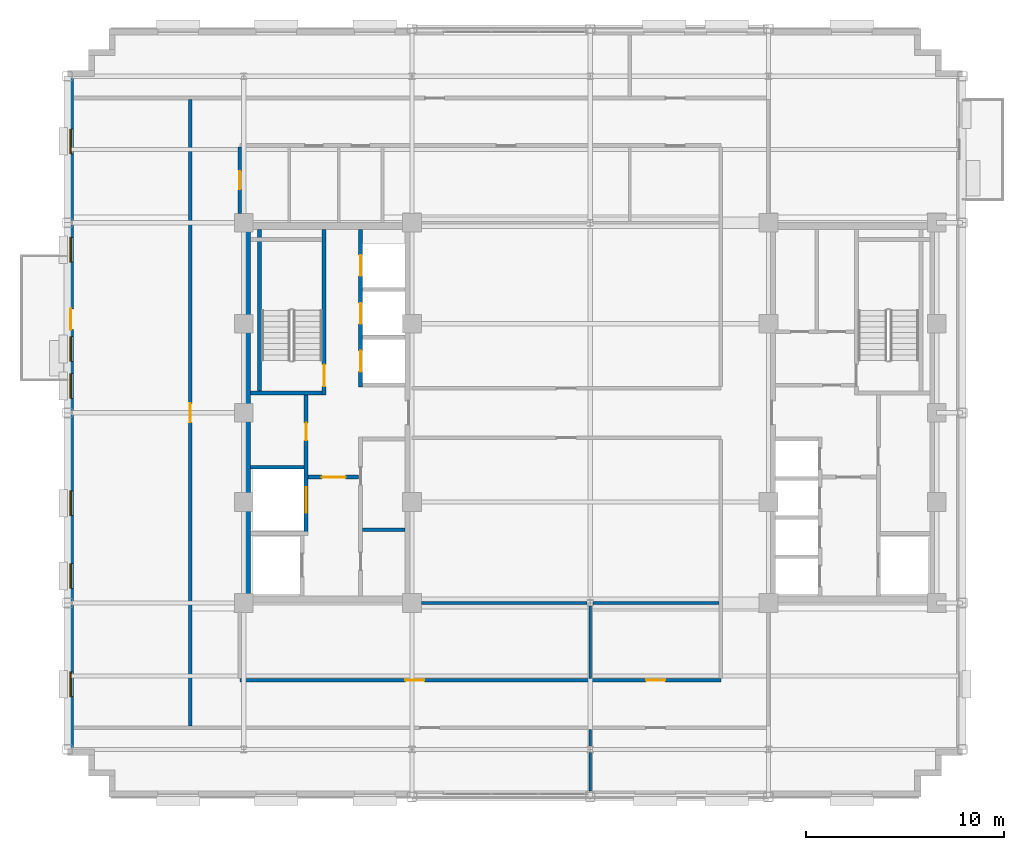
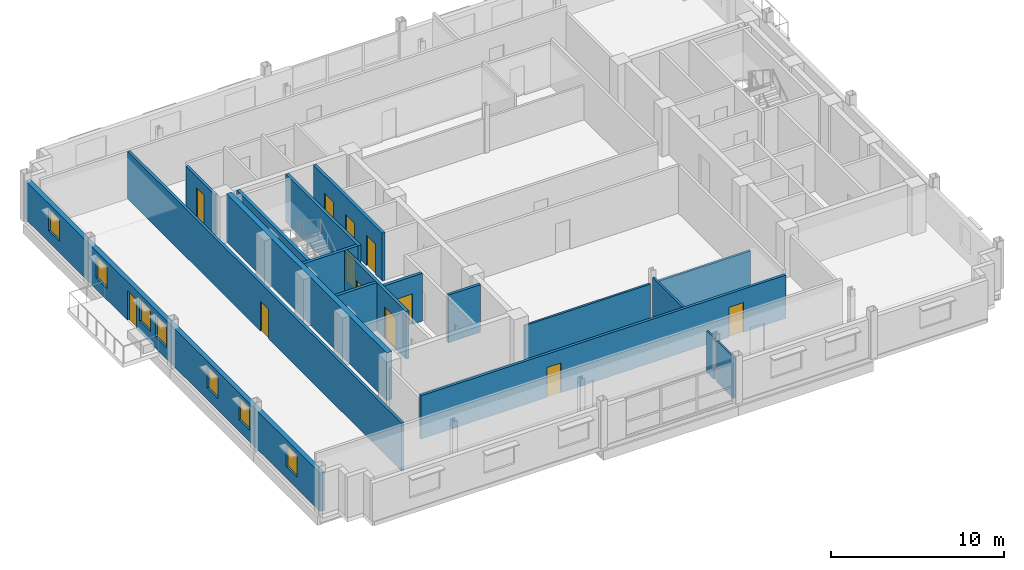
# One storey, part 6 of 15: 18 walls, 12 doors, 7 windows, 19 openings.
"""IFC4 building model written with IfcOpenShell, lengths in metres."""

from ifc_helpers import new_model, si_unit, direction, frame, frame_2d, origin, place, context, subcontext, project, spatial, rectangle, extrude, source, transform, mapped, material, layer, layer_set, type_object, type_shapes, element, fill, save


model = new_model("IFC4")

# Units and contexts
model_context = context("Model", 3, precision=1e-05, world=origin(), true_north=direction((0.0, 1.0)))
body_context = subcontext(model_context, "Body", "Model", "MODEL_VIEW")
ifc_project = project(units=[si_unit("LENGTHUNIT", "METRE"), si_unit("AREAUNIT", "SQUARE_METRE"), si_unit("VOLUMEUNIT", "CUBIC_METRE"), si_unit("PLANEANGLEUNIT", "RADIAN"), si_unit("MASSUNIT", "GRAM", prefix="KILO")], contexts=[model_context])

# Site, building, storey
site_placement = place(None, origin())
site = spatial("IfcSite", under=ifc_project, at=site_placement, CompositionType="ELEMENT")
building_placement = place(site_placement, origin())
building = spatial("IfcBuilding", under=site, at=building_placement, Name="Nuvemarco Arch Tower", CompositionType="ELEMENT")
storey_placement = place(building_placement, frame((0.0, 0.0, 223.75)))
storey = spatial("IfcBuildingStorey", under=building, at=storey_placement, Name="L59", CompositionType="ELEMENT", Elevation=223.75)

# Wall, openings, door, windows
ifc_material_1 = material(Name="Precast concrete C45/55", Category="concrete")
ifc_layer_1 = layer(ifc_material_1, 0.31005859375, Name="EW-UPP-310")
ifc_layer_set_1 = layer_set([ifc_layer_1], Name="Precast concrete C45/55")
wall_type_1 = type_object("IfcWallType", Name="EW-UPP-310", PredefinedType="STANDARD", material=ifc_layer_set_1)
wall_1_placement = place(storey_placement, frame((-26.2451171875, -16.993896484375, 0.0), z_axis=(0.0, 0.0, 1.0), x_axis=(0.0, 1.0, 0.0)))
wall_1 = element("IfcWall", 1, at=wall_1_placement, inside=storey, type_object=wall_type_1, Name="L59 exterior precast facade wall 16", PredefinedType="STANDARD", context=body_context, shape_type="SweptSolid", body=[
    extrude(rectangle(XDim=33.98779296875, YDim=0.31005859375, at=frame_2d((16.993896484375, 0.0))), origin(), (0.0, 0.0, 1.0), 2.705078125),
])
opening_1_placement = place(wall_1_placement, frame((21.194091796875, 0.0, 0.0)))
opening_1 = element("IfcOpeningElement", 2, at=opening_1_placement, cuts=wall_1, Name="Opening ED-5", PredefinedType="OPENING", context=body_context, shape_type="SweptSolid", body=[
    extrude(rectangle(XDim=1.050048828125, YDim=2.10009765625, at=frame_2d((0.52490234375, 1.050048828125))), frame((0.0, 0.1650390625, 0.0), z_axis=(0.0, -1.0, 0.0), x_axis=(1.0, 0.0, 0.0)), (0.0, 0.0, 1.0), 0.330078125),
])
opening_2_placement = place(wall_1_placement, frame((2.659912109375, 0.0, 0.800048828125)))
opening_2 = element("IfcOpeningElement", 3, at=opening_2_placement, cuts=wall_1, Name="Opening WN-13", PredefinedType="OPENING", context=body_context, shape_type="SweptSolid", body=[
    extrude(rectangle(XDim=1.25, YDim=1.52001953125, at=frame_2d((0.625, 0.760009765625))), frame((0.0, 0.1650390625, 0.0), z_axis=(0.0, -1.0, 0.0), x_axis=(1.0, 0.0, 0.0)), (0.0, 0.0, 1.0), 0.330078125),
])
opening_3_placement = place(wall_1_placement, frame((8.129638671875, 0.0, 0.800048828125)))
opening_3 = element("IfcOpeningElement", 4, at=opening_3_placement, cuts=wall_1, Name="Opening WN-13", PredefinedType="OPENING", context=body_context, shape_type="SweptSolid", body=[
    extrude(rectangle(XDim=1.25, YDim=1.52001953125, at=frame_2d((0.625, 0.760009765625))), frame((0.0, 0.1650390625, 0.0), z_axis=(0.0, -1.0, 0.0), x_axis=(1.0, 0.0, 0.0)), (0.0, 0.0, 1.0), 0.330078125),
])
opening_4_placement = place(wall_1_placement, frame((11.79931640625, 0.0, 0.800048828125)))
opening_4 = element("IfcOpeningElement", 5, at=opening_4_placement, cuts=wall_1, Name="Opening WN-13", PredefinedType="OPENING", context=body_context, shape_type="SweptSolid", body=[
    extrude(rectangle(XDim=1.25, YDim=1.52001953125, at=frame_2d((0.625, 0.760009765625))), frame((0.0, 0.1650390625, 0.0), z_axis=(0.0, -1.0, 0.0), x_axis=(1.0, 0.0, 0.0)), (0.0, 0.0, 1.0), 0.330078125),
])
opening_5_placement = place(wall_1_placement, frame((17.718994140625, 0.0, 0.800048828125)))
opening_5 = element("IfcOpeningElement", 6, at=opening_5_placement, cuts=wall_1, Name="Opening WN-13", PredefinedType="OPENING", context=body_context, shape_type="SweptSolid", body=[
    extrude(rectangle(XDim=1.25, YDim=1.52001953125, at=frame_2d((0.625, 0.760009765625))), frame((0.0, 0.1650390625, 0.0), z_axis=(0.0, -1.0, 0.0), x_axis=(1.0, 0.0, 0.0)), (0.0, 0.0, 1.0), 0.330078125),
])
opening_6_placement = place(wall_1_placement, frame((19.588623046875, 0.0, 0.800048828125)))
opening_6 = element("IfcOpeningElement", 7, at=opening_6_placement, cuts=wall_1, Name="Opening WN-13", PredefinedType="OPENING", context=body_context, shape_type="SweptSolid", body=[
    extrude(rectangle(XDim=1.25, YDim=1.52001953125, at=frame_2d((0.625, 0.760009765625))), frame((0.0, 0.1650390625, 0.0), z_axis=(0.0, -1.0, 0.0), x_axis=(1.0, 0.0, 0.0)), (0.0, 0.0, 1.0), 0.330078125),
])
opening_7_placement = place(wall_1_placement, frame((24.6083984375, 0.0, 0.800048828125)))
opening_7 = element("IfcOpeningElement", 8, at=opening_7_placement, cuts=wall_1, Name="Opening WN-13", PredefinedType="OPENING", context=body_context, shape_type="SweptSolid", body=[
    extrude(rectangle(XDim=1.25, YDim=1.52001953125, at=frame_2d((0.625, 0.760009765625))), frame((0.0, 0.1650390625, 0.0), z_axis=(0.0, -1.0, 0.0), x_axis=(1.0, 0.0, 0.0)), (0.0, 0.0, 1.0), 0.330078125),
])
opening_8_placement = place(wall_1_placement, frame((30.078125, 0.0, 0.800048828125)))
opening_8 = element("IfcOpeningElement", 9, at=opening_8_placement, cuts=wall_1, Name="Opening WN-13", PredefinedType="OPENING", context=body_context, shape_type="SweptSolid", body=[
    extrude(rectangle(XDim=1.25, YDim=1.52001953125, at=frame_2d((0.625, 0.760009765625))), frame((0.0, 0.1650390625, 0.0), z_axis=(0.0, -1.0, 0.0), x_axis=(1.0, 0.0, 0.0)), (0.0, 0.0, 1.0), 0.330078125),
])
ifc_material_2 = material(Name="Anodised bronze and laminated glass", Category="glass")
door_type_1 = type_object("IfcDoorType", Name="DR-EXT-TERR", OperationType="NOTDEFINED", PredefinedType="DOOR", material=ifc_material_2)
shared_shape_1 = source(origin(), body_context, "Body", "SweptSolid", [
    extrude(rectangle(XDim=1.050048828125, YDim=2.10009765625, at=frame_2d((0.52490234375, 1.050048828125))), frame((0.0, 0.02490234375, 0.0), z_axis=(0.0, -1.0, 0.0), x_axis=(1.0, 0.0, 0.0)), (0.0, 0.0, 1.0), 0.050048828125),
])
type_shapes(door_type_1, [shared_shape_1])
door_1_placement = place(opening_1_placement, origin())
door_1 = element("IfcDoor", 10, at=door_1_placement, inside=storey, type_object=door_type_1, Name="L59 spiral terrace access door", OperationType="SINGLE_SWING_LEFT", OverallHeight=2.10009765625, OverallWidth=1.050048828125, PredefinedType="DOOR", context=body_context, shape_type="MappedRepresentation", body=[
    mapped(shared_shape_1, transform((0.0, 0.0, 0.0), scale=1.0)),
])
fill(opening_1, door_1)
ifc_material_3 = material(Name="Insulated solar-control glass", Category="glass")
window_type = type_object("IfcWindowType", Name="WN-SET-1250x1520", PartitioningType="SINGLE_PANEL", PredefinedType="WINDOW", material=ifc_material_3)
shared_shape_2 = source(origin(), body_context, "Body", "SweptSolid", [
    extrude(rectangle(XDim=1.25, YDim=1.52001953125, at=frame_2d((0.625, 0.760009765625))), frame((0.0, 0.030029296875, 0.0), z_axis=(0.0, -1.0, 0.0), x_axis=(1.0, 0.0, 0.0)), (0.0, 0.0, 1.0), 0.06005859375),
])
type_shapes(window_type, [shared_shape_2])
window_1_placement = place(opening_2_placement, origin())
window_1 = element("IfcWindow", 11, at=window_1_placement, inside=storey, type_object=window_type, Name="L59 punched facade window 1", OverallHeight=1.52001953125, OverallWidth=1.25, PartitioningType="SINGLE_PANEL", PredefinedType="WINDOW", context=body_context, shape_type="MappedRepresentation", body=[
    mapped(shared_shape_2, transform((0.0, 0.0, 0.0), scale=1.0)),
])
fill(opening_2, window_1)
window_2_placement = place(opening_3_placement, origin())
window_2 = element("IfcWindow", 12, at=window_2_placement, inside=storey, type_object=window_type, Name="L59 punched facade window 2", OverallHeight=1.52001953125, OverallWidth=1.25, PartitioningType="SINGLE_PANEL", PredefinedType="WINDOW", context=body_context, shape_type="MappedRepresentation", body=[
    mapped(shared_shape_2, transform((0.0, 0.0, 0.0), scale=1.0)),
])
fill(opening_3, window_2)
window_3_placement = place(opening_4_placement, origin())
window_3 = element("IfcWindow", 13, at=window_3_placement, inside=storey, type_object=window_type, Name="L59 punched facade window 3", OverallHeight=1.52001953125, OverallWidth=1.25, PartitioningType="SINGLE_PANEL", PredefinedType="WINDOW", context=body_context, shape_type="MappedRepresentation", body=[
    mapped(shared_shape_2, transform((0.0, 0.0, 0.0), scale=1.0)),
])
fill(opening_4, window_3)
window_4_placement = place(opening_5_placement, origin())
window_4 = element("IfcWindow", 14, at=window_4_placement, inside=storey, type_object=window_type, Name="L59 punched facade window 4", OverallHeight=1.52001953125, OverallWidth=1.25, PartitioningType="SINGLE_PANEL", PredefinedType="WINDOW", context=body_context, shape_type="MappedRepresentation", body=[
    mapped(shared_shape_2, transform((0.0, 0.0, 0.0), scale=1.0)),
])
fill(opening_5, window_4)
window_5_placement = place(opening_6_placement, origin())
window_5 = element("IfcWindow", 15, at=window_5_placement, inside=storey, type_object=window_type, Name="L59 punched facade window 5", OverallHeight=1.52001953125, OverallWidth=1.25, PartitioningType="SINGLE_PANEL", PredefinedType="WINDOW", context=body_context, shape_type="MappedRepresentation", body=[
    mapped(shared_shape_2, transform((0.0, 0.0, 0.0), scale=1.0)),
])
fill(opening_6, window_5)
window_6_placement = place(opening_7_placement, origin())
window_6 = element("IfcWindow", 16, at=window_6_placement, inside=storey, type_object=window_type, Name="L59 punched facade window 6", OverallHeight=1.52001953125, OverallWidth=1.25, PartitioningType="SINGLE_PANEL", PredefinedType="WINDOW", context=body_context, shape_type="MappedRepresentation", body=[
    mapped(shared_shape_2, transform((0.0, 0.0, 0.0), scale=1.0)),
])
fill(opening_7, window_6)
window_7_placement = place(opening_8_placement, origin())
window_7 = element("IfcWindow", 17, at=window_7_placement, inside=storey, type_object=window_type, Name="L59 punched facade window 7", OverallHeight=1.52001953125, OverallWidth=1.25, PartitioningType="SINGLE_PANEL", PredefinedType="WINDOW", context=body_context, shape_type="MappedRepresentation", body=[
    mapped(shared_shape_2, transform((0.0, 0.0, 0.0), scale=1.0)),
])
fill(opening_8, window_7)

# Walls
ifc_material_4 = material(Name="Concrete C50/60", Category="concrete")
ifc_layer_2 = layer(ifc_material_4, 0.35009765625, Name="WL-CORE-350")
ifc_layer_set_2 = layer_set([ifc_layer_2], Name="Concrete C50/60")
wall_type_2 = type_object("IfcWallType", Name="WL-CORE-350", PredefinedType="SHEAR", material=ifc_layer_set_2)
wall_2_placement = place(storey_placement, frame((-17.324951171875, -9.2548828125, 0.0), z_axis=(0.0, 0.0, 1.0), x_axis=(0.0, 1.0, 0.0)))
element("IfcWall", 18, at=wall_2_placement, inside=storey, type_object=wall_type_2, Name="L59 W-core shear wall W", PredefinedType="SHEAR", context=body_context, shape_type="SweptSolid", body=[
    extrude(rectangle(XDim=18.509765625, YDim=0.35009765625, at=frame_2d((9.2548828125, 0.0))), origin(), (0.0, 0.0, 1.0), 3.3701171875),
])
ifc_material_5 = material(Name="Fire-rated gypsum drywall partition")
ifc_layer_3 = layer(ifc_material_5, 0.179931640625, Name="WL-CORR-180")
ifc_layer_set_3 = layer_set([ifc_layer_3], Name="Fire-rated gypsum drywall partition")
wall_type_3 = type_object("IfcWallType", Name="WL-CORR-180", PredefinedType="PARTITIONING", material=ifc_layer_set_3)
wall_3_placement = place(storey_placement, frame((-11.5048828125, -5.89990234375, 0.0), z_axis=(0.0, 0.0, 1.0), x_axis=(1.0, 0.0, 0.0)))
element("IfcWall", 19, at=wall_3_placement, inside=storey, type_object=wall_type_3, Name="L59 interior wall IW-L59-W-RECK3", PredefinedType="PARTITIONING", context=body_context, shape_type="SweptSolid", body=[
    extrude(rectangle(XDim=2.159912109375, YDim=0.179931640625, at=frame_2d((1.080078125, 0.0))), origin(), (0.0, 0.0, 1.0), 3.360107421875),
])

# Wall, openings, doors
wall_4_placement = place(storey_placement, frame((-17.699951171875, -13.5, 0.0), z_axis=(0.0, 0.0, 1.0), x_axis=(1.0, 0.0, 0.0)))
wall_4 = element("IfcWall", 20, at=wall_4_placement, inside=storey, type_object=wall_type_3, Name="L59 interior wall IW-L59-002", PredefinedType="PARTITIONING", context=body_context, shape_type="SweptSolid", body=[
    extrude(rectangle(XDim=24.300048828125, YDim=0.179931640625, at=frame_2d((12.14990234375, 0.0))), origin(), (0.0, 0.0, 1.0), 3.049072265625),
])
opening_9_placement = place(wall_4_placement, frame((8.3701171875, 0.0, 0.0)))
opening_9 = element("IfcOpeningElement", 21, at=opening_9_placement, cuts=wall_4, Name="Opening FD-5", PredefinedType="OPENING", context=body_context, shape_type="SweptSolid", body=[
    extrude(rectangle(XDim=0.9599609375, YDim=2.10009765625, at=frame_2d((0.47998046875, 1.050048828125))), frame((0.0, 0.099853515625, 0.0), z_axis=(0.0, -1.0, 0.0), x_axis=(1.0, 0.0, 0.0)), (0.0, 0.0, 1.0), 0.199951171875),
])
opening_10_placement = place(wall_4_placement, frame((20.52001953125, 0.0, 0.0)))
opening_10 = element("IfcOpeningElement", 22, at=opening_10_placement, cuts=wall_4, Name="Opening FD-5", PredefinedType="OPENING", context=body_context, shape_type="SweptSolid", body=[
    extrude(rectangle(XDim=0.9599609375, YDim=2.10009765625, at=frame_2d((0.47998046875, 1.050048828125))), frame((0.0, 0.099853515625, 0.0), z_axis=(0.0, -1.0, 0.0), x_axis=(1.0, 0.0, 0.0)), (0.0, 0.0, 1.0), 0.199951171875),
])
ifc_material_6 = material(Name="Timber fire door", Category="wood")
door_type_2 = type_object("IfcDoorType", Name="DR-CORR-FD", OperationType="NOTDEFINED", PredefinedType="DOOR", material=ifc_material_6)
shared_shape_3 = source(origin(), body_context, "Body", "SweptSolid", [
    extrude(rectangle(XDim=0.9599609375, YDim=2.10009765625, at=frame_2d((0.47998046875, 1.050048828125))), frame((0.0, 0.02490234375, 0.0), z_axis=(0.0, -1.0, 0.0), x_axis=(1.0, 0.0, 0.0)), (0.0, 0.0, 1.0), 0.050048828125),
])
type_shapes(door_type_2, [shared_shape_3])
door_2_placement = place(opening_9_placement, origin())
door_2 = element("IfcDoor", 23, at=door_2_placement, inside=storey, type_object=door_type_2, Name="L59 door DR-L59-SKY_IN_S", OperationType="SINGLE_SWING_RIGHT", OverallHeight=2.10009765625, OverallWidth=0.9599609375, PredefinedType="DOOR", context=body_context, shape_type="MappedRepresentation", body=[
    mapped(shared_shape_3, transform((0.0, 0.0, 0.0), scale=1.0)),
])
fill(opening_9, door_2)
door_3_placement = place(opening_10_placement, origin())
door_3 = element("IfcDoor", 24, at=door_3_placement, inside=storey, type_object=door_type_2, Name="L59 door DR-L59-SKY_CONF_2", OperationType="SINGLE_SWING_LEFT", OverallHeight=2.10009765625, OverallWidth=0.9599609375, PredefinedType="DOOR", context=body_context, shape_type="MappedRepresentation", body=[
    mapped(shared_shape_3, transform((0.0, 0.0, 0.0), scale=1.0)),
])
fill(opening_10, door_3)

# Wall, opening, door
wall_5_placement = place(storey_placement, frame((-20.199951171875, -15.81396484375, 0.0), z_axis=(0.0, 0.0, 1.0), x_axis=(0.0, 1.0, 0.0)))
wall_5 = element("IfcWall", 25, at=wall_5_placement, inside=storey, type_object=wall_type_3, Name="L59 interior wall IW-L59-011", PredefinedType="PARTITIONING", context=body_context, shape_type="SweptSolid", body=[
    extrude(rectangle(XDim=31.6279296875, YDim=0.179931640625, at=frame_2d((15.81396484375, 0.0))), origin(), (0.0, 0.0, 1.0), 3.360107421875),
])
opening_11_placement = place(wall_5_placement, frame((15.333984375, 0.0, 0.0)))
opening_11 = element("IfcOpeningElement", 26, at=opening_11_placement, cuts=wall_5, Name="Opening FD-5", PredefinedType="OPENING", context=body_context, shape_type="SweptSolid", body=[
    extrude(rectangle(XDim=0.9599609375, YDim=2.10009765625, at=frame_2d((0.47998046875, 1.050048828125))), frame((0.0, 0.099853515625, 0.0), z_axis=(0.0, -1.0, 0.0), x_axis=(1.0, 0.0, 0.0)), (0.0, 0.0, 1.0), 0.199951171875),
])
door_4_placement = place(opening_11_placement, origin())
door_4 = element("IfcDoor", 27, at=door_4_placement, inside=storey, type_object=door_type_2, Name="L59 door DR-L59-SKY_W1", OperationType="SINGLE_SWING_LEFT", OverallHeight=2.10009765625, OverallWidth=0.9599609375, PredefinedType="DOOR", context=body_context, shape_type="MappedRepresentation", body=[
    mapped(shared_shape_3, transform((0.0, 0.0, 0.0), scale=1.0)),
])
fill(opening_11, door_4)

wall_6_placement = place(storey_placement, frame((-17.699951171875, 10.071044921875, 0.0), z_axis=(0.0, 0.0, 1.0), x_axis=(0.0, 1.0, 0.0)))
wall_6 = element("IfcWall", 28, at=wall_6_placement, inside=storey, type_object=wall_type_3, Name="L59 interior wall IW-L59-013", PredefinedType="PARTITIONING", context=body_context, shape_type="SweptSolid", body=[
    extrude(rectangle(XDim=3.343017578125, YDim=0.179931640625, at=frame_2d((1.67138671875, 0.0))), origin(), (0.0, 0.0, 1.0), 2.89208984375),
])
opening_12_placement = place(wall_6_placement, frame((1.221435546875, 0.0, 0.0)))
opening_12 = element("IfcOpeningElement", 29, at=opening_12_placement, cuts=wall_6, Name="Opening ID-3", PredefinedType="OPENING", context=body_context, shape_type="SweptSolid", body=[
    extrude(rectangle(XDim=0.89990234375, YDim=2.10009765625, at=frame_2d((0.449951171875, 1.050048828125))), frame((0.0, 0.099853515625, 0.0), z_axis=(0.0, -1.0, 0.0), x_axis=(1.0, 0.0, 0.0)), (0.0, 0.0, 1.0), 0.199951171875),
])
ifc_material_7 = material(Name="Veneered oak timber fire door", Category="wood")
door_type_3 = type_object("IfcDoorType", Name="DR-WC-ACC", OperationType="NOTDEFINED", PredefinedType="DOOR", material=ifc_material_7)
shared_shape_4 = source(origin(), body_context, "Body", "SweptSolid", [
    extrude(rectangle(XDim=0.89990234375, YDim=2.10009765625, at=frame_2d((0.449951171875, 1.050048828125))), frame((0.0, 0.02490234375, 0.0), z_axis=(0.0, -1.0, 0.0), x_axis=(1.0, 0.0, 0.0)), (0.0, 0.0, 1.0), 0.050048828125),
])
type_shapes(door_type_3, [shared_shape_4])
door_5_placement = place(opening_12_placement, origin())
door_5 = element("IfcDoor", 30, at=door_5_placement, inside=storey, type_object=door_type_3, Name="L59 door DR-L59-WC_M", OperationType="SINGLE_SWING_RIGHT", OverallHeight=2.10009765625, OverallWidth=0.89990234375, PredefinedType="DOOR", context=body_context, shape_type="MappedRepresentation", body=[
    mapped(shared_shape_4, transform((0.0, 0.0, 0.0), scale=1.0)),
])
fill(opening_12, door_5)

# Walls
ifc_material_8 = material(Name="Glazed acoustic office partition")
ifc_layer_4 = layer(ifc_material_8, 0.1298828125, Name="WL-EXEC-130")
ifc_layer_set_4 = layer_set([ifc_layer_4], Name="Glazed acoustic office partition")
wall_type_4 = type_object("IfcWallType", Name="WL-EXEC-130", PredefinedType="PARTITIONING", material=ifc_layer_set_4)
wall_7_placement = place(storey_placement, frame((0.0, -19.090087890625, 0.0), z_axis=(0.0, 0.0, 1.0), x_axis=(0.0, 1.0, 0.0)))
element("IfcWall", 31, at=wall_7_placement, inside=storey, type_object=wall_type_4, Name="L59 interior wall IW-L59-017", PredefinedType="PARTITIONING", context=body_context, shape_type="SweptSolid", body=[
    extrude(rectangle(XDim=1.939208984375, YDim=0.1298828125, at=frame_2d((0.9697265625, 0.0))), origin(), (0.0, 0.0, 1.0), 2.89208984375),
])
wall_8_placement = place(storey_placement, frame((0.0, -16.84912109375, 0.0), z_axis=(0.0, 0.0, 1.0), x_axis=(0.0, 1.0, 0.0)))
element("IfcWall", 32, at=wall_8_placement, inside=storey, type_object=wall_type_4, Name="L59 interior wall IW-L59-018", PredefinedType="PARTITIONING", context=body_context, shape_type="SweptSolid", body=[
    extrude(rectangle(XDim=0.863037109375, YDim=0.1298828125, at=frame_2d((0.431640625, 0.0))), origin(), (0.0, 0.0, 1.0), 2.89208984375),
])
ifc_material_9 = material(Name="Gypsum plasterboard partition")
ifc_layer_5 = layer(ifc_material_9, 0.139892578125, Name="WL-ROOM-140")
ifc_layer_set_5 = layer_set([ifc_layer_5], Name="Gypsum plasterboard partition")
wall_type_5 = type_object("IfcWallType", Name="WL-ROOM-140", PredefinedType="PARTITIONING", material=ifc_layer_set_5)
wall_9_placement = place(storey_placement, frame((-8.529052734375, -9.60009765625, 0.0), z_axis=(0.0, 0.0, 1.0), x_axis=(1.0, 0.0, 0.0)))
element("IfcWall", 33, at=wall_9_placement, inside=storey, type_object=wall_type_5, Name="L59 interior wall IW-L59-003", PredefinedType="PARTITIONING", context=body_context, shape_type="SweptSolid", body=[
    extrude(rectangle(XDim=8.378173828125, YDim=0.139892578125, at=frame_2d((4.18896484375, 0.0))), origin(), (0.0, 0.0, 1.0), 2.405029296875),
])
wall_10_placement = place(storey_placement, frame((0.15087890625, -9.60009765625, 0.0), z_axis=(0.0, 0.0, 1.0), x_axis=(1.0, 0.0, 0.0)))
element("IfcWall", 34, at=wall_10_placement, inside=storey, type_object=wall_type_5, Name="L59 interior wall IW-L59-004", PredefinedType="PARTITIONING", context=body_context, shape_type="SweptSolid", body=[
    extrude(rectangle(XDim=6.363037109375, YDim=0.139892578125, at=frame_2d((3.181640625, 0.0))), origin(), (0.0, 0.0, 1.0), 2.405029296875),
])
wall_11_placement = place(storey_placement, frame((0.0, -13.4140625, 0.0), z_axis=(0.0, 0.0, 1.0), x_axis=(0.0, 1.0, 0.0)))
element("IfcWall", 35, at=wall_11_placement, inside=storey, type_object=wall_type_5, Name="L59 interior wall IW-L59-019", PredefinedType="PARTITIONING", context=body_context, shape_type="SweptSolid", body=[
    extrude(rectangle(XDim=3.6630859375, YDim=0.139892578125, at=frame_2d((1.83154296875, 0.0))), origin(), (0.0, 0.0, 1.0), 2.89208984375),
])

# Wall, opening, door
ifc_layer_6 = layer(ifc_material_4, 0.199951171875, Name="WL-SHAFT-220")
ifc_layer_set_6 = layer_set([ifc_layer_6], Name="Concrete C50/60")
wall_type_6 = type_object("IfcWallType", Name="WL-SHAFT-220", PredefinedType="SHEAR", material=ifc_layer_set_6)
wall_12_placement = place(storey_placement, frame((-13.43994140625, 0.89990234375, 0.0), z_axis=(0.0, 0.0, 1.0), x_axis=(0.0, 1.0, 0.0)))
wall_12 = element("IfcWall", 36, at=wall_12_placement, inside=storey, type_object=wall_type_6, Name="L59 structural shaft wall SW-L59-W-ST1E", PredefinedType="SHEAR", context=body_context, shape_type="SweptSolid", body=[
    extrude(rectangle(XDim=8.35498046875, YDim=0.199951171875, at=frame_2d((4.177490234375, 0.0))), origin(), (0.0, 0.0, 1.0), 3.3701171875),
])
opening_13_placement = place(wall_12_placement, frame((1.530029296875, 0.0, 0.0), z_axis=(0.0, 0.0, 1.0), x_axis=(-1.0, 0.0, 0.0)))
opening_13 = element("IfcOpeningElement", 37, at=opening_13_placement, cuts=wall_12, Name="Opening FD-1", PredefinedType="OPENING", context=body_context, shape_type="SweptSolid", body=[
    extrude(rectangle(XDim=1.10009765625, YDim=2.14990234375, at=frame_2d((0.550048828125, 1.074951171875))), frame((0.0, 0.10986328125, 0.0), z_axis=(0.0, -1.0, 0.0), x_axis=(1.0, 0.0, 0.0)), (0.0, 0.0, 1.0), 0.219970703125),
])
ifc_material_10 = material(Name="Anodised steel fire door", Category="steel")
door_type_4 = type_object("IfcDoorType", Name="DR-STAIR-FD", OperationType="NOTDEFINED", PredefinedType="DOOR", material=ifc_material_10)
shared_shape_5 = source(origin(), body_context, "Body", "SweptSolid", [
    extrude(rectangle(XDim=1.10009765625, YDim=2.14990234375, at=frame_2d((0.550048828125, 1.074951171875))), frame((0.0, 0.02490234375, 0.0), z_axis=(0.0, -1.0, 0.0), x_axis=(1.0, 0.0, 0.0)), (0.0, 0.0, 1.0), 0.050048828125),
])
type_shapes(door_type_4, [shared_shape_5])
door_6_placement = place(opening_13_placement, origin())
door_6 = element("IfcDoor", 38, at=door_6_placement, inside=storey, type_object=door_type_4, Name="L59 door FD-L59-ST1", OperationType="SINGLE_SWING_RIGHT", OverallHeight=2.14990234375, OverallWidth=1.10009765625, PredefinedType="DOOR", context=body_context, shape_type="MappedRepresentation", body=[
    mapped(shared_shape_5, transform((0.0, 0.0, 0.0), scale=1.0)),
])
fill(opening_13, door_6)

# Walls
wall_13_placement = place(storey_placement, frame((-17.155029296875, 1.0, 0.0), z_axis=(0.0, 0.0, 1.0), x_axis=(1.0, 0.0, 0.0)))
element("IfcWall", 39, at=wall_13_placement, inside=storey, type_object=wall_type_6, Name="L59 structural shaft wall SW-L59-W-ST1S", PredefinedType="SHEAR", context=body_context, shape_type="SweptSolid", body=[
    extrude(rectangle(XDim=3.6201171875, YDim=0.199951171875, at=frame_2d((1.81005859375, 0.0))), origin(), (0.0, 0.0, 1.0), 3.3701171875),
])
wall_14_placement = place(storey_placement, frame((-16.699951171875, 1.094970703125, 0.0), z_axis=(0.0, 0.0, 1.0), x_axis=(0.0, 1.0, 0.0)))
element("IfcWall", 40, at=wall_14_placement, inside=storey, type_object=wall_type_6, Name="L59 structural shaft wall SW-L59-W-ST1W", PredefinedType="SHEAR", context=body_context, shape_type="SweptSolid", body=[
    extrude(rectangle(XDim=8.159912109375, YDim=0.199951171875, at=frame_2d((4.080078125, 0.0))), origin(), (0.0, 0.0, 1.0), 3.3701171875),
])

# Wall, openings, doors
wall_15_placement = place(storey_placement, frame((-14.35009765625, -6.199951171875, 0.0), z_axis=(0.0, 0.0, 1.0), x_axis=(0.0, 1.0, 0.0)))
wall_15 = element("IfcWall", 41, at=wall_15_placement, inside=storey, type_object=wall_type_6, Name="L59 structural shaft wall SW-L59-W-SVE", PredefinedType="SHEAR", context=body_context, shape_type="SweptSolid", body=[
    extrude(rectangle(XDim=7.10498046875, YDim=0.199951171875, at=frame_2d((3.552490234375, 0.0))), origin(), (0.0, 0.0, 1.0), 3.3701171875),
])
opening_14_placement = place(wall_15_placement, frame((5.68994140625, 0.0, 0.0), z_axis=(0.0, 0.0, 1.0), x_axis=(-1.0, 0.0, 0.0)))
opening_14 = element("IfcOpeningElement", 42, at=opening_14_placement, cuts=wall_15, Name="Opening FD-4", PredefinedType="OPENING", context=body_context, shape_type="SweptSolid", body=[
    extrude(rectangle(XDim=0.8798828125, YDim=2.10009765625, at=frame_2d((0.43994140625, 1.050048828125))), frame((0.0, 0.10986328125, 0.0), z_axis=(0.0, -1.0, 0.0), x_axis=(1.0, 0.0, 0.0)), (0.0, 0.0, 1.0), 0.219970703125),
])
opening_15_placement = place(wall_15_placement, frame((1.14990234375, 0.0, 0.0)))
opening_15 = element("IfcOpeningElement", 43, at=opening_15_placement, cuts=wall_15, Name="Opening LD-3", PredefinedType="OPENING", context=body_context, shape_type="SweptSolid", body=[
    extrude(rectangle(XDim=1.300048828125, YDim=2.199951171875, at=frame_2d((0.64990234375, 1.10009765625))), frame((0.0, 0.10986328125, 0.0), z_axis=(0.0, -1.0, 0.0), x_axis=(1.0, 0.0, 0.0)), (0.0, 0.0, 1.0), 0.219970703125),
])
door_type_5 = type_object("IfcDoorType", Name="DR-RISER-FD", OperationType="NOTDEFINED", PredefinedType="DOOR", material=ifc_material_10)
shared_shape_6 = source(origin(), body_context, "Body", "SweptSolid", [
    extrude(rectangle(XDim=0.8798828125, YDim=2.10009765625, at=frame_2d((0.43994140625, 1.050048828125))), frame((0.0, 0.02490234375, 0.0), z_axis=(0.0, -1.0, 0.0), x_axis=(1.0, 0.0, 0.0)), (0.0, 0.0, 1.0), 0.050048828125),
])
type_shapes(door_type_5, [shared_shape_6])
door_7_placement = place(opening_14_placement, origin())
door_7 = element("IfcDoor", 44, at=door_7_placement, inside=storey, type_object=door_type_5, Name="L59 door FD-L59-WRIS", OperationType="SINGLE_SWING_RIGHT", OverallHeight=2.10009765625, OverallWidth=0.8798828125, PredefinedType="DOOR", context=body_context, shape_type="MappedRepresentation", body=[
    mapped(shared_shape_6, transform((0.0, 0.0, 0.0), scale=1.0)),
])
fill(opening_14, door_7)
ifc_material_11 = material(Name="Stainless steel lift door", Category="steel")
door_type_6 = type_object("IfcDoorType", Name="DR-LIFT-SERV", OperationType="DOUBLE_DOOR_SLIDING", PredefinedType="DOOR", material=ifc_material_11)
shared_shape_7 = source(origin(), body_context, "Body", "SweptSolid", [
    extrude(rectangle(XDim=1.300048828125, YDim=2.199951171875, at=frame_2d((0.64990234375, 1.10009765625))), frame((0.0, 0.02490234375, 0.0), z_axis=(0.0, -1.0, 0.0), x_axis=(1.0, 0.0, 0.0)), (0.0, 0.0, 1.0), 0.050048828125),
])
type_shapes(door_type_6, [shared_shape_7])
door_8_placement = place(opening_15_placement, origin())
door_8 = element("IfcDoor", 45, at=door_8_placement, inside=storey, type_object=door_type_6, Name="L59 Lift landing sliding door SVL-1", OperationType="DOUBLE_DOOR_SLIDING", OverallHeight=2.199951171875, OverallWidth=1.300048828125, PredefinedType="DOOR", context=body_context, shape_type="MappedRepresentation", body=[
    mapped(shared_shape_7, transform((0.0, 0.0, 0.0), scale=1.0)),
])
fill(opening_15, door_8)

# Wall
wall_16_placement = place(storey_placement, frame((-17.155029296875, -2.75, 0.0), z_axis=(0.0, 0.0, 1.0), x_axis=(1.0, 0.0, 0.0)))
element("IfcWall", 46, at=wall_16_placement, inside=storey, type_object=wall_type_6, Name="L59 structural shaft wall SW-L59-W-SH2", PredefinedType="SHEAR", context=body_context, shape_type="SweptSolid", body=[
    extrude(rectangle(XDim=2.7099609375, YDim=0.199951171875, at=frame_2d((1.35498046875, 0.0))), origin(), (0.0, 0.0, 1.0), 3.3701171875),
])

# Wall, opening, door
wall_17_placement = place(storey_placement, frame((-14.2548828125, -3.25, 0.0), z_axis=(0.0, 0.0, 1.0), x_axis=(1.0, 0.0, 0.0)))
wall_17 = element("IfcWall", 47, at=wall_17_placement, inside=storey, type_object=wall_type_6, Name="L59 structural shaft wall SW-L59-W-FFN", PredefinedType="SHEAR", context=body_context, shape_type="SweptSolid", body=[
    extrude(rectangle(XDim=2.559814453125, YDim=0.199951171875, at=frame_2d((1.27978515625, 0.0))), origin(), (0.0, 0.0, 1.0), 3.3701171875),
])
opening_16_placement = place(wall_17_placement, frame((0.705078125, 0.0, 0.0)))
opening_16 = element("IfcOpeningElement", 48, at=opening_16_placement, cuts=wall_17, Name="Opening FD-2", PredefinedType="OPENING", context=body_context, shape_type="SweptSolid", body=[
    extrude(rectangle(XDim=1.199951171875, YDim=2.14990234375, at=frame_2d((0.60009765625, 1.074951171875))), frame((0.0, 0.10986328125, 0.0), z_axis=(0.0, -1.0, 0.0), x_axis=(1.0, 0.0, 0.0)), (0.0, 0.0, 1.0), 0.219970703125),
])
door_type_7 = type_object("IfcDoorType", Name="DR-FFLOB-FD", OperationType="NOTDEFINED", PredefinedType="DOOR", material=ifc_material_10)
shared_shape_8 = source(origin(), body_context, "Body", "SweptSolid", [
    extrude(rectangle(XDim=1.199951171875, YDim=2.14990234375, at=frame_2d((0.60009765625, 1.074951171875))), frame((0.0, 0.02490234375, 0.0), z_axis=(0.0, -1.0, 0.0), x_axis=(1.0, 0.0, 0.0)), (0.0, 0.0, 1.0), 0.050048828125),
])
type_shapes(door_type_7, [shared_shape_8])
door_9_placement = place(opening_16_placement, origin())
door_9 = element("IfcDoor", 49, at=door_9_placement, inside=storey, type_object=door_type_7, Name="L59 door FD-L59-WFF1", OperationType="SINGLE_SWING_RIGHT", OverallHeight=2.14990234375, OverallWidth=1.199951171875, PredefinedType="DOOR", context=body_context, shape_type="MappedRepresentation", body=[
    mapped(shared_shape_8, transform((0.0, 0.0, 0.0), scale=1.0)),
])
fill(opening_16, door_9)

# Wall, openings, doors
wall_18_placement = place(storey_placement, frame((-11.60009765625, 1.300048828125, 0.0), z_axis=(0.0, 0.0, 1.0), x_axis=(0.0, 1.0, 0.0)))
wall_18 = element("IfcWall", 50, at=wall_18_placement, inside=storey, type_object=wall_type_6, Name="L59 structural shaft wall SW-L59-W-PHW", PredefinedType="SHEAR", context=body_context, shape_type="SweptSolid", body=[
    extrude(rectangle(XDim=7.954833984375, YDim=0.199951171875, at=frame_2d((3.9775390625, 0.0))), origin(), (0.0, 0.0, 1.0), 3.3701171875),
])
opening_17_placement = place(wall_18_placement, frame((0.77490234375, 0.0, 0.0)))
opening_17 = element("IfcOpeningElement", 51, at=opening_17_placement, cuts=wall_18, Name="Opening LD-1", PredefinedType="OPENING", context=body_context, shape_type="SweptSolid", body=[
    extrude(rectangle(XDim=1.050048828125, YDim=2.14990234375, at=frame_2d((0.52490234375, 1.074951171875))), frame((0.0, 0.10986328125, 0.0), z_axis=(0.0, -1.0, 0.0), x_axis=(1.0, 0.0, 0.0)), (0.0, 0.0, 1.0), 0.219970703125),
])
opening_18_placement = place(wall_18_placement, frame((3.195068359375, 0.0, 0.0)))
opening_18 = element("IfcOpeningElement", 52, at=opening_18_placement, cuts=wall_18, Name="Opening LD-1", PredefinedType="OPENING", context=body_context, shape_type="SweptSolid", body=[
    extrude(rectangle(XDim=1.050048828125, YDim=2.14990234375, at=frame_2d((0.52490234375, 1.074951171875))), frame((0.0, 0.10986328125, 0.0), z_axis=(0.0, -1.0, 0.0), x_axis=(1.0, 0.0, 0.0)), (0.0, 0.0, 1.0), 0.219970703125),
])
opening_19_placement = place(wall_18_placement, frame((5.614990234375, 0.0, 0.0)))
opening_19 = element("IfcOpeningElement", 53, at=opening_19_placement, cuts=wall_18, Name="Opening LD-1", PredefinedType="OPENING", context=body_context, shape_type="SweptSolid", body=[
    extrude(rectangle(XDim=1.050048828125, YDim=2.14990234375, at=frame_2d((0.52490234375, 1.074951171875))), frame((0.0, 0.10986328125, 0.0), z_axis=(0.0, -1.0, 0.0), x_axis=(1.0, 0.0, 0.0)), (0.0, 0.0, 1.0), 0.219970703125),
])
door_type_8 = type_object("IfcDoorType", Name="DR-LIFT-PASS", OperationType="DOUBLE_DOOR_SLIDING", PredefinedType="DOOR", material=ifc_material_11)
shared_shape_9 = source(origin(), body_context, "Body", "SweptSolid", [
    extrude(rectangle(XDim=1.050048828125, YDim=2.14990234375, at=frame_2d((0.52490234375, 1.074951171875))), frame((0.0, 0.02490234375, 0.0), z_axis=(0.0, -1.0, 0.0), x_axis=(1.0, 0.0, 0.0)), (0.0, 0.0, 1.0), 0.050048828125),
])
type_shapes(door_type_8, [shared_shape_9])
door_10_placement = place(opening_17_placement, origin())
door_10 = element("IfcDoor", 54, at=door_10_placement, inside=storey, type_object=door_type_8, Name="L59 Lift landing sliding door PH-1", OperationType="DOUBLE_DOOR_SLIDING", OverallHeight=2.14990234375, OverallWidth=1.050048828125, PredefinedType="DOOR", context=body_context, shape_type="MappedRepresentation", body=[
    mapped(shared_shape_9, transform((0.0, 0.0, 0.0), scale=1.0)),
])
fill(opening_17, door_10)
door_11_placement = place(opening_18_placement, origin())
door_11 = element("IfcDoor", 55, at=door_11_placement, inside=storey, type_object=door_type_8, Name="L59 Lift landing sliding door PH-2", OperationType="DOUBLE_DOOR_SLIDING", OverallHeight=2.14990234375, OverallWidth=1.050048828125, PredefinedType="DOOR", context=body_context, shape_type="MappedRepresentation", body=[
    mapped(shared_shape_9, transform((0.0, 0.0, 0.0), scale=1.0)),
])
fill(opening_18, door_11)
door_12_placement = place(opening_19_placement, origin())
door_12 = element("IfcDoor", 56, at=door_12_placement, inside=storey, type_object=door_type_8, Name="L59 Lift landing sliding door PH-3", OperationType="DOUBLE_DOOR_SLIDING", OverallHeight=2.14990234375, OverallWidth=1.050048828125, PredefinedType="DOOR", context=body_context, shape_type="MappedRepresentation", body=[
    mapped(shared_shape_9, transform((0.0, 0.0, 0.0), scale=1.0)),
])
fill(opening_19, door_12)

save(model, "model.ifc")
